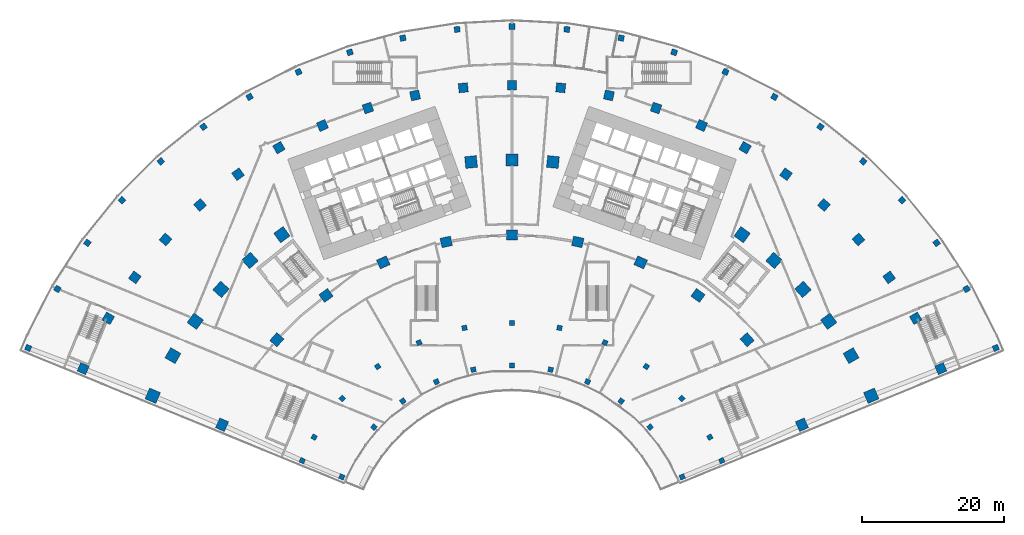
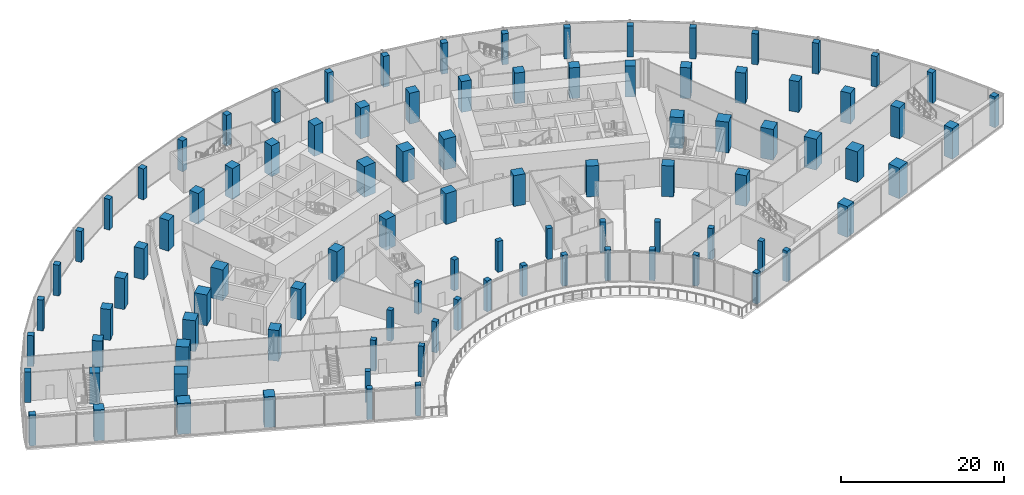
# One storey, part 1 of 39: 96 columns.
"""IFC4 building model written with IfcOpenShell, lengths in metres."""

from ifc_helpers import new_model, si_unit, direction, frame, origin, origin_2d, place, context, subcontext, project, spatial, rectangle, extrude, material, material_profile, profile_set, type_object, element, save


model = new_model("IFC4")

# Units and contexts
model_context = context("Model", 3, precision=1e-05, world=origin(), true_north=direction((0.0, 1.0)))
body_context = subcontext(model_context, "Body", "Model", "MODEL_VIEW")
ifc_project = project(units=[si_unit("LENGTHUNIT", "METRE"), si_unit("AREAUNIT", "SQUARE_METRE"), si_unit("VOLUMEUNIT", "CUBIC_METRE"), si_unit("PLANEANGLEUNIT", "RADIAN"), si_unit("MASSUNIT", "GRAM", prefix="KILO")], contexts=[model_context])

# Site, building, storey
site_placement = place(None, origin())
site = spatial("IfcSite", under=ifc_project, at=site_placement, CompositionType="ELEMENT")
building_placement = place(site_placement, origin())
building = spatial("IfcBuilding", under=site, at=building_placement, Name="Stone Belt Terrace Tower", CompositionType="ELEMENT")
storey_placement = place(building_placement, frame((0.0, 0.0, 16.199951171875)))
storey = spatial("IfcBuildingStorey", under=building, at=storey_placement, Name="L03", CompositionType="ELEMENT", Elevation=16.199951171875)

# Columns
ifc_material_1 = material(Name="Concrete B80", Category="concrete")
ifc_material_profile_1 = material_profile(ifc_material_1, rectangle(XDim=1.300048828125, YDim=1.300048828125, at=origin_2d()), Name="RC 1300x1300")
ifc_profile_set_1 = profile_set([ifc_material_profile_1], Name="Concrete B80")
column_type_1 = type_object("IfcColumnType", Name="Column RC 1300x1300 B80", PredefinedType="COLUMN", material=ifc_profile_set_1)
for number, where, z_axis, x_axis, name in (
    (1, (-60.24169921875, 25.68505859375, 0.0), (0.0, 0.0, 1.0), (0.392203865004, 0.919878322538, 0.0), "Column L03 RA"),
    (2, (-56.715087890625, 32.744384765625, 0.0), (0.0, 0.0, 1.0), (0.5, 0.866025403784, 0.0), "Column L03 R12"),
    (3, (-52.981689453125, 38.493408203125, 0.0), (0.0, 0.0, 1.0), (0.587785252292, 0.809016994375, 0.0), "Column L03 R13"),
    (4, (-48.667724609375, 43.820556640625, 0.0), (0.0, 0.0, 1.0), (0.669130606359, 0.743144825477, 0.0), "Column L03 R14"),
    (5, (-43.820556640625, 48.667724609375, 0.0), (0.0, 0.0, 1.0), (0.743144825477, 0.669130606359, 0.0), "Column L03 R15"),
    (6, (-38.493408203125, 52.981689453125, 0.0), (0.0, 0.0, 1.0), (0.809016994375, 0.587785252292, 0.0), "Column L03 R16"),
    (7, (-32.744384765625, 56.715087890625, 0.0), (0.0, 0.0, 1.0), (0.866025403784, 0.5, 0.0), "Column L03 R17"),
    (8, (-26.63671875, 59.8271484375, 0.0), (0.0, 0.0, 1.0), (0.913545457643, 0.406736643076, 0.0), "Column L03 R18"),
    (9, (-20.2373046875, 62.28369140625, 0.0), (0.0, 0.0, 1.0), (0.951056516295, 0.309016994375, 0.0), "Column L03 R19"),
    (10, (-13.615966796875, 64.057861328125, 0.0), (0.0, 0.0, 1.0), (0.978147600734, 0.207911690818, 0.0), "Column L03 R20"),
    (11, (-6.845458984375, 65.130126953125, 0.0), (0.0, 0.0, 1.0), (0.994521895368, 0.104528463268, 0.0), "Column L03 R21"),
    (12, (0.0, 65.489013671875, 0.0), (0.0, 0.0, 1.0), (1.0, 0.0, 0.0), "Column L03 R22"),
    (13, (6.845458984375, 65.130126953125, 0.0), (0.0, 0.0, 1.0), (0.994521895368, -0.104528463268, 0.0), "Column L03 R23"),
    (14, (13.615966796875, 64.057861328125, 0.0), (0.0, 0.0, 1.0), (0.978147600734, -0.207911690818, 0.0), "Column L03 R24"),
    (15, (20.2373046875, 62.28369140625, 0.0), (0.0, 0.0, 1.0), (0.951056516295, -0.309016994375, 0.0), "Column L03 R25"),
    (16, (26.63671875, 59.8271484375, 0.0), (0.0, 0.0, 1.0), (0.913545457643, -0.406736643076, 0.0), "Column L03 R26"),
    (17, (32.744384765625, 56.715087890625, 0.0), (0.0, 0.0, 1.0), (0.866025403784, -0.5, 0.0), "Column L03 R27"),
    (18, (38.493408203125, 52.981689453125, 0.0), (0.0, 0.0, 1.0), (0.809016994375, -0.587785252292, 0.0), "Column L03 R28"),
    (19, (43.820556640625, 48.667724609375, 0.0), (0.0, 0.0, 1.0), (0.743144825477, -0.669130606359, 0.0), "Column L03 R29"),
    (20, (48.667724609375, 43.820556640625, 0.0), (0.0, 0.0, 1.0), (0.669130606359, -0.743144825477, 0.0), "Column L03 R30"),
    (21, (52.981689453125, 38.493408203125, 0.0), (0.0, 0.0, 1.0), (0.587785252292, -0.809016994375, 0.0), "Column L03 R31"),
    (22, (56.715087890625, 32.744384765625, 0.0), (0.0, 0.0, 1.0), (0.5, -0.866025403784, 0.0), "Column L03 R32"),
    (23, (60.24169921875, 25.68505859375, 0.0), (0.0, 0.0, 1.0), (0.392203865004, -0.919878322538, 0.0), "Column L03 RB"),
):
    element("IfcColumn", number, at=place(storey_placement, frame(where, z_axis=z_axis, x_axis=x_axis)), inside=storey, type_object=column_type_1, Name=name, PredefinedType="COLUMN", context=body_context, shape_type="SweptSolid", body=[
        extrude(rectangle(XDim=1.300048828125, YDim=1.300048828125, at=origin_2d()), origin(), (0.0, 0.0, 1.0), 4.60009765625),
    ])
ifc_material_profile_2 = material_profile(ifc_material_1, rectangle(XDim=1.5, YDim=1.35009765625, at=origin_2d()), Name="RC 1500x1350")
ifc_profile_set_2 = profile_set([ifc_material_profile_2], Name="Concrete B80")
column_type_2 = type_object("IfcColumnType", Name="Column RC 1500x1350 B80", PredefinedType="COLUMN", material=ifc_profile_set_2)
for number, where, z_axis, x_axis, name in (
    (24, (-40.727294921875, 17.794677734375, 0.0), (0.0, 0.0, 1.0), (0.40037622141, 0.916350850564, 0.0), "Column L03 PA"),
    (25, (-33.029052734375, 29.739501953125, 0.0), (0.0, 0.0, 1.0), (0.669130606359, 0.743144825477, 0.0), "Column L03 P14"),
    (26, (-26.1240234375, 35.956787109375, 0.0), (0.0, 0.0, 1.0), (0.809016994375, 0.587785252292, 0.0), "Column L03 P16"),
    (27, (-18.077392578125, 40.6025390625, 0.0), (0.0, 0.0, 1.0), (0.913545457643, 0.406736643076, 0.0), "Column L03 P18"),
    (28, (-9.240478515625, 43.473876953125, 0.0), (0.0, 0.0, 1.0), (0.978147600734, 0.207911690818, 0.0), "Column L03 P20"),
    (29, (0.0, 44.445068359375, 0.0), (0.0, 0.0, 1.0), (1.0, 0.0, 0.0), "Column L03 P22"),
    (30, (9.240478515625, 43.473876953125, 0.0), (0.0, 0.0, 1.0), (0.978147600734, -0.207911690818, 0.0), "Column L03 P24"),
    (31, (18.077392578125, 40.6025390625, 0.0), (0.0, 0.0, 1.0), (0.913545457643, -0.406736643076, 0.0), "Column L03 P26"),
    (32, (26.1240234375, 35.956787109375, 0.0), (0.0, 0.0, 1.0), (0.809016994375, -0.587785252292, 0.0), "Column L03 P28"),
    (33, (33.029052734375, 29.739501953125, 0.0), (0.0, 0.0, 1.0), (0.669130606359, -0.743144825477, 0.0), "Column L03 P30"),
    (34, (40.727294921875, 17.794677734375, 0.0), (0.0, 0.0, 1.0), (0.40037622141, -0.916350850564, 0.0), "Column L03 PB"),
):
    element("IfcColumn", number, at=place(storey_placement, frame(where, z_axis=z_axis, x_axis=x_axis)), inside=storey, type_object=column_type_2, Name=name, PredefinedType="COLUMN", context=body_context, shape_type="SweptSolid", body=[
        extrude(rectangle(XDim=1.5, YDim=1.35009765625, at=origin_2d()), origin(), (0.0, 0.0, 1.0), 4.60009765625),
    ])
ifc_material_profile_3 = material_profile(ifc_material_1, rectangle(XDim=1.64990234375, YDim=1.64990234375, at=origin_2d()), Name="RC 1650x1650")
ifc_profile_set_3 = profile_set([ifc_material_profile_3], Name="Concrete B80")
column_type_3 = type_object("IfcColumnType", Name="Column RC 1650x1650 B80", PredefinedType="COLUMN", material=ifc_profile_set_3)
for number, where, z_axis, x_axis, name in (
    (35, (-50.466064453125, 21.867431640625, 0.0), (0.0, 0.0, 1.0), (0.397588335471, 0.917563902678, 0.0), "Column L03 QA"),
    (36, (-47.63134765625, 27.5, 0.0), (0.0, 0.0, 1.0), (0.5, 0.866025403784, 0.0), "Column L03 Q12"),
    (37, (-44.495849609375, 32.328125, 0.0), (0.0, 0.0, 1.0), (0.587785252292, 0.809016994375, 0.0), "Column L03 Q13"),
    (38, (-40.873046875, 36.80224609375, 0.0), (0.0, 0.0, 1.0), (0.669130606359, 0.743144825477, 0.0), "Column L03 Q14"),
    (39, (-36.80224609375, 40.873046875, 0.0), (0.0, 0.0, 1.0), (0.743144825477, 0.669130606359, 0.0), "Column L03 Q15"),
    (40, (-32.328125, 44.495849609375, 0.0), (0.0, 0.0, 1.0), (0.809016994375, 0.587785252292, 0.0), "Column L03 Q16"),
    (41, (-5.7490234375, 54.69873046875, 0.0), (0.0, 0.0, 1.0), (0.994521895368, 0.104528463268, 0.0), "Column L03 Q21"),
    (42, (0.0, 55.0, 0.0), (0.0, 0.0, 1.0), (1.0, 0.0, 0.0), "Column L03 Q22"),
    (43, (5.7490234375, 54.69873046875, 0.0), (0.0, 0.0, 1.0), (0.994521895368, -0.104528463268, 0.0), "Column L03 Q23"),
    (44, (32.328125, 44.495849609375, 0.0), (0.0, 0.0, 1.0), (0.809016994375, -0.587785252292, 0.0), "Column L03 Q28"),
    (45, (36.80224609375, 40.873046875, 0.0), (0.0, 0.0, 1.0), (0.743144825477, -0.669130606359, 0.0), "Column L03 Q29"),
    (46, (40.873046875, 36.80224609375, 0.0), (0.0, 0.0, 1.0), (0.669130606359, -0.743144825477, 0.0), "Column L03 Q30"),
    (47, (44.495849609375, 32.328125, 0.0), (0.0, 0.0, 1.0), (0.587785252292, -0.809016994375, 0.0), "Column L03 Q31"),
    (48, (47.63134765625, 27.5, 0.0), (0.0, 0.0, 1.0), (0.5, -0.866025403784, 0.0), "Column L03 Q32"),
    (49, (50.466064453125, 21.867431640625, 0.0), (0.0, 0.0, 1.0), (0.397588335471, -0.917563902678, 0.0), "Column L03 QB"),
):
    element("IfcColumn", number, at=place(storey_placement, frame(where, z_axis=z_axis, x_axis=x_axis)), inside=storey, type_object=column_type_3, Name=name, PredefinedType="COLUMN", context=body_context, shape_type="SweptSolid", body=[
        extrude(rectangle(XDim=1.64990234375, YDim=1.64990234375, at=origin_2d()), origin(), (0.0, 0.0, 1.0), 4.60009765625),
    ])
ifc_material_2 = material(Name="Concrete B60", Category="concrete")
ifc_material_profile_4 = material_profile(ifc_material_2, rectangle(XDim=0.699951171875, YDim=0.699951171875, at=origin_2d()), Name="RC 700x700")
ifc_profile_set_4 = profile_set([ifc_material_profile_4], Name="Concrete B60")
column_type_4 = type_object("IfcColumnType", Name="Column RC 700x700 B60", PredefinedType="COLUMN", material=ifc_profile_set_4)
for number, where, z_axis, x_axis, name in (
    (50, (-23.908203125, 10.468994140625, 0.0), (0.0, 0.0, 1.0), (0.401114983453, 0.91602771249, 0.0), "Column L03 NA"),
    (51, (-19.39599609375, 17.46435546875, 0.0), (0.0, 0.0, 1.0), (0.669130606359, 0.743144825477, 0.0), "Column L03 N14"),
    (52, (-15.34130859375, 21.115234375, 0.0), (0.0, 0.0, 1.0), (0.809016994375, 0.587785252292, 0.0), "Column L03 N16"),
    (53, (-10.61572265625, 23.843505859375, 0.0), (0.0, 0.0, 1.0), (0.913545457643, 0.406736643076, 0.0), "Column L03 N18"),
    (54, (-5.426513671875, 25.52978515625, 0.0), (0.0, 0.0, 1.0), (0.978147600734, 0.207911690818, 0.0), "Column L03 N20"),
    (55, (0.0, 26.10009765625, 0.0), (0.0, 0.0, 1.0), (1.0, 0.0, 0.0), "Column L03 N22"),
    (56, (5.426513671875, 25.52978515625, 0.0), (0.0, 0.0, 1.0), (0.978147600734, -0.207911690818, 0.0), "Column L03 N24"),
    (57, (10.61572265625, 23.843505859375, 0.0), (0.0, 0.0, 1.0), (0.913545457643, -0.406736643076, 0.0), "Column L03 N26"),
    (58, (15.34130859375, 21.115234375, 0.0), (0.0, 0.0, 1.0), (0.809016994375, -0.587785252292, 0.0), "Column L03 N28"),
    (59, (19.39599609375, 17.46435546875, 0.0), (0.0, 0.0, 1.0), (0.669130606359, -0.743144825477, 0.0), "Column L03 N30"),
    (60, (23.908203125, 10.468994140625, 0.0), (0.0, 0.0, 1.0), (0.401114983453, -0.91602771249, 0.0), "Column L03 NB"),
    (61, (-29.46142578125, 12.7451171875, 0.0), (0.0, 0.0, 1.0), (0.39704377212, 0.917799674777, 0.0), "Column L03 OA"),
    (62, (-27.79931640625, 16.050048828125, 0.0), (0.0, 0.0, 1.0), (0.5, 0.866025403784, 0.0), "Column L03 O12"),
    (63, (-23.85498046875, 21.47900390625, 0.0), (0.0, 0.0, 1.0), (0.669130606359, 0.743144825477, 0.0), "Column L03 O14"),
    (64, (-18.867919921875, 25.969482421875, 0.0), (0.0, 0.0, 1.0), (0.809016994375, 0.587785252292, 0.0), "Column L03 O16"),
    (65, (-13.05615234375, 29.32470703125, 0.0), (0.0, 0.0, 1.0), (0.913545457643, 0.406736643076, 0.0), "Column L03 O18"),
    (66, (-6.674072265625, 31.3984375, 0.0), (0.0, 0.0, 1.0), (0.978147600734, 0.207911690818, 0.0), "Column L03 O20"),
    (67, (0.0, 32.10009765625, 0.0), (0.0, 0.0, 1.0), (1.0, 0.0, 0.0), "Column L03 O22"),
    (68, (6.674072265625, 31.3984375, 0.0), (0.0, 0.0, 1.0), (0.978147600734, -0.207911690818, 0.0), "Column L03 O24"),
    (69, (13.05615234375, 29.32470703125, 0.0), (0.0, 0.0, 1.0), (0.913545457643, -0.406736643076, 0.0), "Column L03 O26"),
    (70, (18.867919921875, 25.969482421875, 0.0), (0.0, 0.0, 1.0), (0.809016994375, -0.587785252292, 0.0), "Column L03 O28"),
    (71, (23.85498046875, 21.47900390625, 0.0), (0.0, 0.0, 1.0), (0.669130606359, -0.743144825477, 0.0), "Column L03 O30"),
    (72, (27.79931640625, 16.050048828125, 0.0), (0.0, 0.0, 1.0), (0.5, -0.866025403784, 0.0), "Column L03 O32"),
    (73, (29.46142578125, 12.7451171875, 0.0), (0.0, 0.0, 1.0), (0.39704377212, -0.917799674777, 0.0), "Column L03 OB"),
):
    element("IfcColumn", number, at=place(storey_placement, frame(where, z_axis=z_axis, x_axis=x_axis)), inside=storey, type_object=column_type_4, Name=name, PredefinedType="COLUMN", context=body_context, shape_type="SweptSolid", body=[
        extrude(rectangle(XDim=0.699951171875, YDim=0.699951171875, at=origin_2d()), origin(), (0.0, 0.0, 1.0), 4.60009765625),
    ])
ifc_material_profile_5 = material_profile(ifc_material_2, rectangle(XDim=0.800048828125, YDim=0.800048828125, at=origin_2d()), Name="RC 800x800")
ifc_profile_set_5 = profile_set([ifc_material_profile_5], Name="Concrete B60")
column_type_5 = type_object("IfcColumnType", Name="Column RC 800x800 B60", PredefinedType="COLUMN", material=ifc_profile_set_5)
for number, where, z_axis, x_axis, name in (
    (74, (-67.96337890625, 28.57958984375, 0.0), (0.0, 0.0, 1.0), (0.387636254736, 0.921812418019, 0.0), "Column L03 SA"),
    (75, (-63.85009765625, 36.864013671875, 0.0), (0.0, 0.0, 1.0), (0.5, 0.866025403784, 0.0), "Column L03 S12"),
    (76, (-59.647216796875, 43.336181640625, 0.0), (0.0, 0.0, 1.0), (0.587785252292, 0.809016994375, 0.0), "Column L03 S13"),
    (77, (-54.79052734375, 49.33349609375, 0.0), (0.0, 0.0, 1.0), (0.669130606359, 0.743144825477, 0.0), "Column L03 S14"),
    (78, (-49.33349609375, 54.79052734375, 0.0), (0.0, 0.0, 1.0), (0.743144825477, 0.669130606359, 0.0), "Column L03 S15"),
    (79, (-43.336181640625, 59.647216796875, 0.0), (0.0, 0.0, 1.0), (0.809016994375, 0.587785252292, 0.0), "Column L03 S16"),
    (80, (-36.864013671875, 63.85009765625, 0.0), (0.0, 0.0, 1.0), (0.866025403784, 0.5, 0.0), "Column L03 S17"),
    (81, (-29.98779296875, 67.353759765625, 0.0), (0.0, 0.0, 1.0), (0.913545457643, 0.406736643076, 0.0), "Column L03 S18"),
    (82, (-22.783203125, 70.119384765625, 0.0), (0.0, 0.0, 1.0), (0.951056516295, 0.309016994375, 0.0), "Column L03 S19"),
    (83, (-15.328857421875, 72.11669921875, 0.0), (0.0, 0.0, 1.0), (0.978147600734, 0.207911690818, 0.0), "Column L03 S20"),
    (84, (-7.706787109375, 73.323974609375, 0.0), (0.0, 0.0, 1.0), (0.994521895368, 0.104528463268, 0.0), "Column L03 S21"),
    (85, (0.0, 73.727783203125, 0.0), (0.0, 0.0, 1.0), (1.0, 0.0, 0.0), "Column L03 S22"),
    (86, (7.706787109375, 73.323974609375, 0.0), (0.0, 0.0, 1.0), (0.994521895368, -0.104528463268, 0.0), "Column L03 S23"),
    (87, (15.328857421875, 72.11669921875, 0.0), (0.0, 0.0, 1.0), (0.978147600734, -0.207911690818, 0.0), "Column L03 S24"),
    (88, (22.783203125, 70.119384765625, 0.0), (0.0, 0.0, 1.0), (0.951056516295, -0.309016994375, 0.0), "Column L03 S25"),
    (89, (29.98779296875, 67.353759765625, 0.0), (0.0, 0.0, 1.0), (0.913545457643, -0.406736643076, 0.0), "Column L03 S26"),
    (90, (36.864013671875, 63.85009765625, 0.0), (0.0, 0.0, 1.0), (0.866025403784, -0.5, 0.0), "Column L03 S27"),
    (91, (43.336181640625, 59.647216796875, 0.0), (0.0, 0.0, 1.0), (0.809016994375, -0.587785252292, 0.0), "Column L03 S28"),
    (92, (49.33349609375, 54.79052734375, 0.0), (0.0, 0.0, 1.0), (0.743144825477, -0.669130606359, 0.0), "Column L03 S29"),
    (93, (54.79052734375, 49.33349609375, 0.0), (0.0, 0.0, 1.0), (0.669130606359, -0.743144825477, 0.0), "Column L03 S30"),
    (94, (59.647216796875, 43.336181640625, 0.0), (0.0, 0.0, 1.0), (0.587785252292, -0.809016994375, 0.0), "Column L03 S31"),
    (95, (63.85009765625, 36.864013671875, 0.0), (0.0, 0.0, 1.0), (0.5, -0.866025403784, 0.0), "Column L03 S32"),
    (96, (67.96337890625, 28.57958984375, 0.0), (0.0, 0.0, 1.0), (0.387636254736, -0.921812418019, 0.0), "Column L03 SB"),
):
    element("IfcColumn", number, at=place(storey_placement, frame(where, z_axis=z_axis, x_axis=x_axis)), inside=storey, type_object=column_type_5, Name=name, PredefinedType="COLUMN", context=body_context, shape_type="SweptSolid", body=[
        extrude(rectangle(XDim=0.800048828125, YDim=0.800048828125, at=origin_2d()), origin(), (0.0, 0.0, 1.0), 4.60009765625),
    ])

save(model, "model.ifc")
